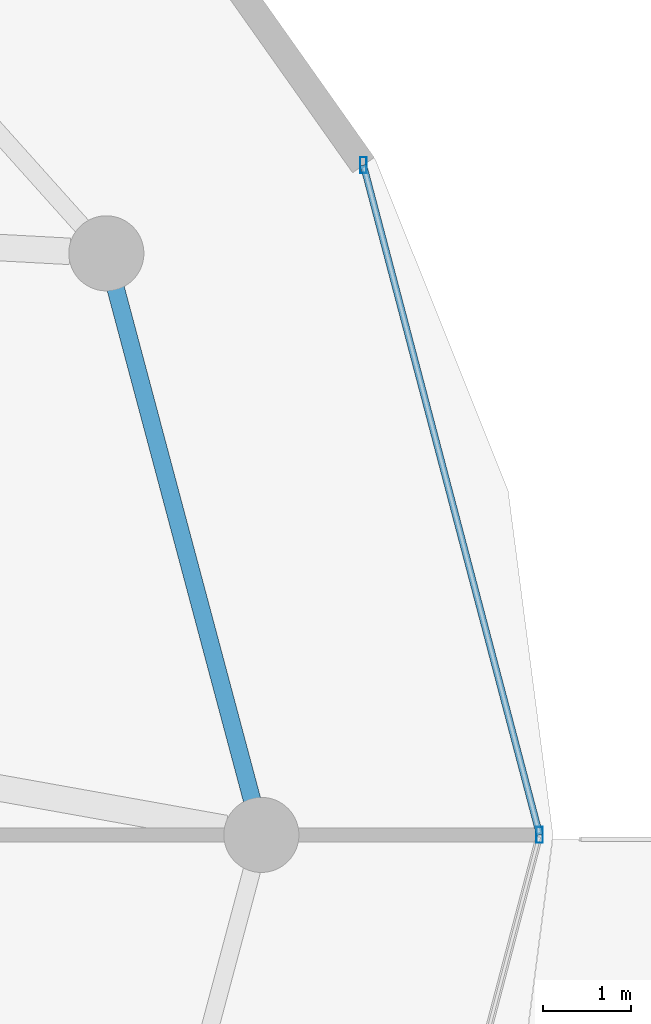
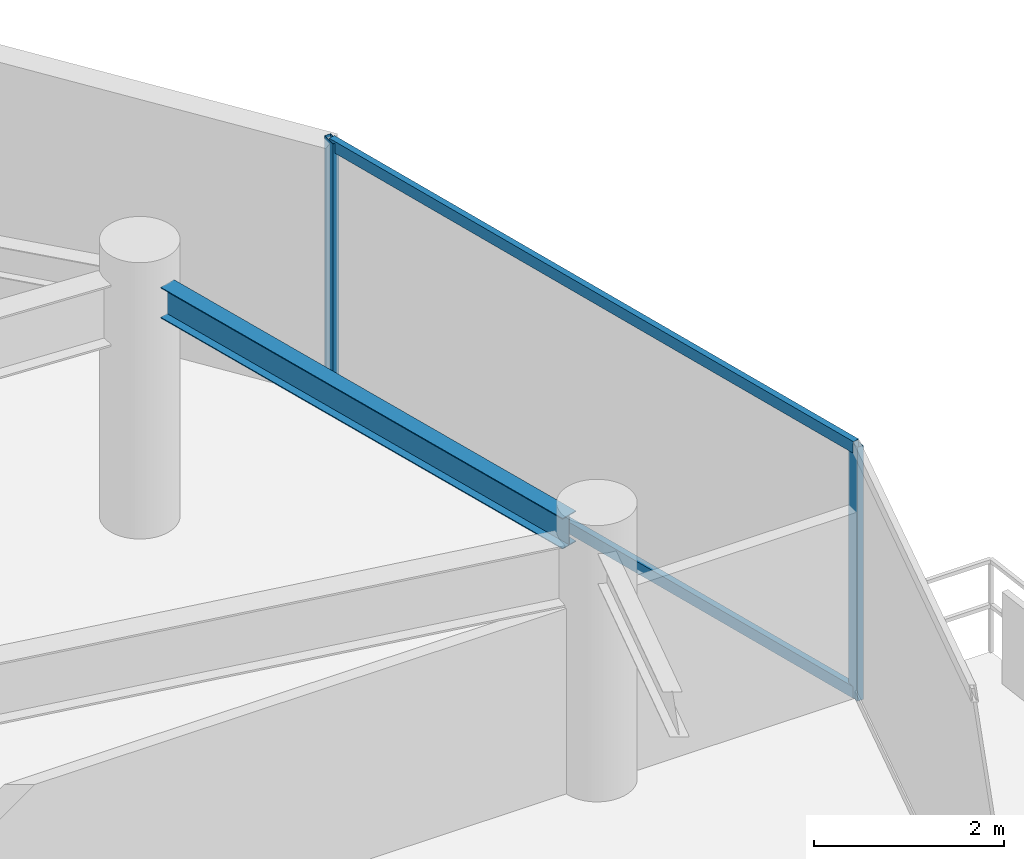
# One storey, part 11 of 25: 4 members, 1 beam, 1 element without a shape of its own.
"""IFC4 building model written with IfcOpenShell, lengths in metres."""

from ifc_helpers import new_model, si_unit, direction, frame, origin, origin_2d, place, context, subcontext, project, spatial, hollow_rectangle, i_section, extrude, material, material_profile, profile_set, type_object, element, aggregate, save


model = new_model("IFC4")

# Units and contexts
model_context = context("Model", 3, precision=1e-05, world=origin(), true_north=direction((0.0, 1.0)))
body_context = subcontext(model_context, "Body", "Model", "MODEL_VIEW")
ifc_project = project(units=[si_unit("LENGTHUNIT", "METRE"), si_unit("AREAUNIT", "SQUARE_METRE"), si_unit("VOLUMEUNIT", "CUBIC_METRE"), si_unit("PLANEANGLEUNIT", "RADIAN"), si_unit("MASSUNIT", "GRAM", prefix="KILO")], contexts=[model_context])

# Site, building, storey
site_placement = place(None, origin())
site = spatial("IfcSite", under=ifc_project, at=site_placement, CompositionType="ELEMENT")
building_placement = place(site_placement, origin())
building = spatial("IfcBuilding", under=site, at=building_placement, Name="Vorneva Point Tower", CompositionType="ELEMENT")
storey_placement = place(building_placement, frame((0.0, 0.0, 276.85009765625)))
storey = spatial("IfcBuildingStorey", under=building, at=storey_placement, Name="L75", CompositionType="ELEMENT", Elevation=276.85009765625)

# Beam
ifc_material_1 = material(Name="Steel S355", Category="steel")
ifc_material_profile_1 = material_profile(ifc_material_1, i_section(OverallWidth=0.198974609375, OverallDepth=0.39599609375, WebThickness=0.007080078125, FlangeThickness=0.010986328125, at=origin_2d()), Name="40B1")
ifc_profile_set_1 = profile_set([ifc_material_profile_1], Name="Steel S355")
beam_type = type_object("IfcBeamType", Name="BM-SPN-40B1", PredefinedType="SPANDREL", material=ifc_profile_set_1)
beam_placement = place(storey_placement, frame((60.9443359375, 26.396240234375, 2.991943359375), z_axis=(-0.257586570866, 0.966255224312, 0.0), x_axis=(-0.966255224312, -0.257586570866, 0.0)))
element("IfcBeam", 1, at=beam_placement, inside=storey, type_object=beam_type, Name="L75 Perimeter Spandrel Ring Beam 01", PredefinedType="SPANDREL", context=body_context, shape_type="SweptSolid", body=[
    extrude(i_section(OverallWidth=0.198974609375, OverallDepth=0.39599609375, WebThickness=0.007080078125, FlangeThickness=0.010986328125, at=origin_2d()), origin(), (0.0, 0.0, 1.0), 5.991943359375),
])

# Curtain wall, members
ifc_material_2 = material(Name="Pale anodised aluminium", Category="aluminium")
curtain_wall_type = type_object("IfcCurtainWallType", Name="CW-RES-SYS", PredefinedType="NOTDEFINED", material=ifc_material_2)
curtain_wall_placement = place(storey_placement, origin())
curtain_wall = element("IfcCurtainWall", 2, at=curtain_wall_placement, inside=storey, type_object=curtain_wall_type, Name="L75 Unitised Curtain Wall CW-L75-R01", PredefinedType="NOTDEFINED")
ifc_material_profile_2 = material_profile(ifc_material_2, hollow_rectangle(XDim=0.074951171875, YDim=0.179931640625, WallThickness=0.00390625, at=origin_2d()), Name="AL-MUL 180x75x4")
ifc_profile_set_2 = profile_set([ifc_material_profile_2], Name="Pale anodised aluminium")
member_type_1 = type_object("IfcMemberType", Name="CW-MUL-180", PredefinedType="MULLION", material=ifc_profile_set_2)
member_1_placement = place(storey_placement, frame((64.199951171875, 26.0, -0.0400390625), z_axis=(0.0, 0.0, 1.0), x_axis=(1.0, 0.0, 0.0)))
member_1 = element("IfcMember", 3, at=member_1_placement, type_object=member_type_1, Name="CW-L75-R01 Mullion 02", PredefinedType="MULLION", context=body_context, shape_type="SweptSolid", body=[
    extrude(hollow_rectangle(XDim=0.074951171875, YDim=0.179931640625, WallThickness=0.00390625, at=origin_2d()), origin(), (0.0, 0.0, 1.0), 3.260009765625),
])
member_2_placement = place(storey_placement, frame((62.20556640625, 33.5810546875, -0.0400390625), z_axis=(0.0, 0.0, 1.0), x_axis=(1.0, 0.0, 0.0)))
member_2 = element("IfcMember", 4, at=member_2_placement, type_object=member_type_1, Name="CW-L75-R01 Mullion 03", PredefinedType="MULLION", context=body_context, shape_type="SweptSolid", body=[
    extrude(hollow_rectangle(XDim=0.074951171875, YDim=0.179931640625, WallThickness=0.00390625, at=origin_2d()), origin(), (0.0, 0.0, 1.0), 3.260009765625),
])
ifc_material_profile_3 = material_profile(ifc_material_2, hollow_rectangle(XDim=0.074951171875, YDim=0.14990234375, WallThickness=0.00390625, at=origin_2d()), Name="AL-TRN 150x75x4")
ifc_profile_set_3 = profile_set([ifc_material_profile_3], Name="Pale anodised aluminium")
member_type_2 = type_object("IfcMemberType", Name="CW-TRN-150", PredefinedType="USERDEFINED", material=ifc_profile_set_3)
member_3_placement = place(storey_placement, frame((64.199951171875, 26.0, 0.02001953125), z_axis=(-0.254418180926, 0.967094302131, 0.0), x_axis=(-0.967094302131, -0.254418180926, 0.0)))
member_3 = element("IfcMember", 5, at=member_3_placement, type_object=member_type_2, Name="CW-L75-R01 Transom 02.1", ObjectType="TRANSOM", PredefinedType="USERDEFINED", context=body_context, shape_type="SweptSolid", body=[
    extrude(hollow_rectangle(XDim=0.074951171875, YDim=0.14990234375, WallThickness=0.00390625, at=origin_2d()), origin(), (0.0, 0.0, 1.0), 7.839111328125),
])
member_4_placement = place(storey_placement, frame((64.199951171875, 26.0, 3.169921875), z_axis=(-0.254418180926, 0.967094302131, 0.0), x_axis=(-0.967094302131, -0.254418180926, 0.0)))
member_4 = element("IfcMember", 6, at=member_4_placement, type_object=member_type_2, Name="CW-L75-R01 Transom 02.2", ObjectType="TRANSOM", PredefinedType="USERDEFINED", context=body_context, shape_type="SweptSolid", body=[
    extrude(hollow_rectangle(XDim=0.074951171875, YDim=0.14990234375, WallThickness=0.00390625, at=origin_2d()), origin(), (0.0, 0.0, 1.0), 7.839111328125),
])
aggregate(curtain_wall, [member_1, member_2, member_3, member_4])

save(model, "model.ifc")
